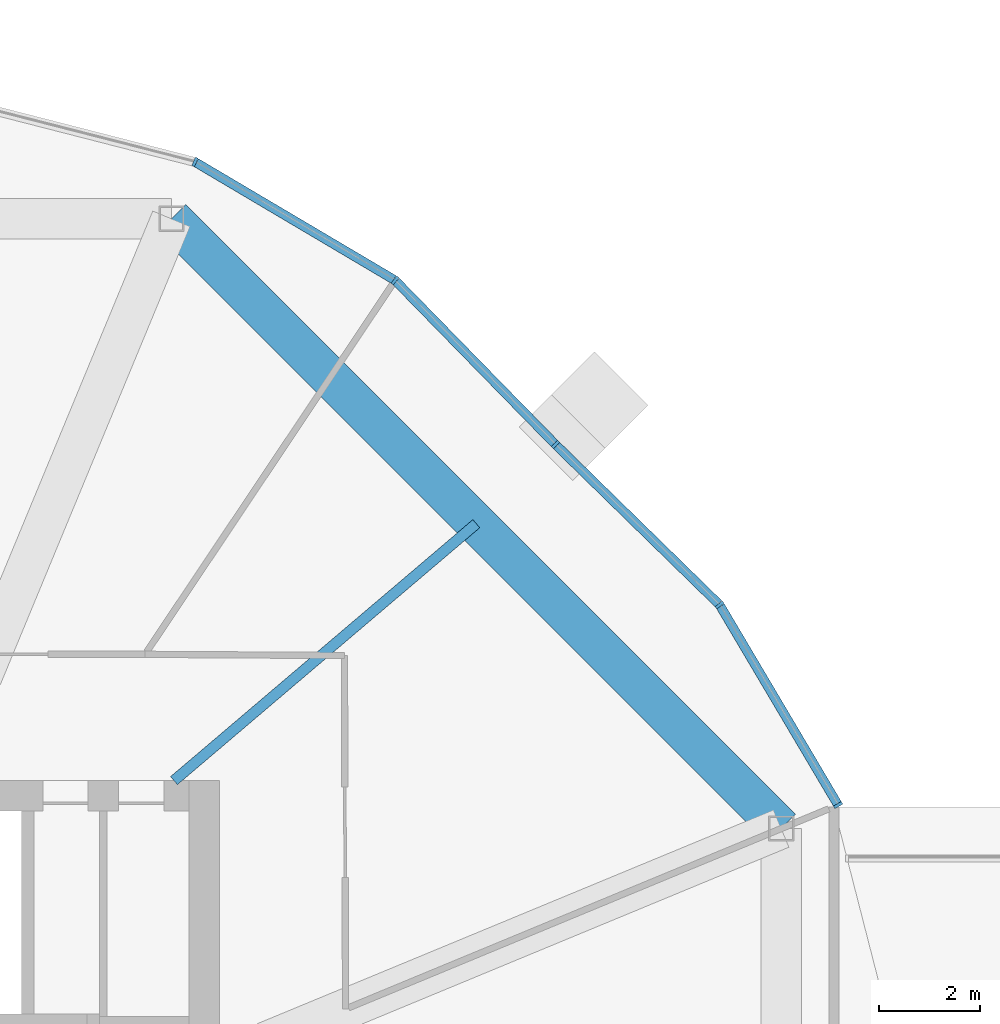
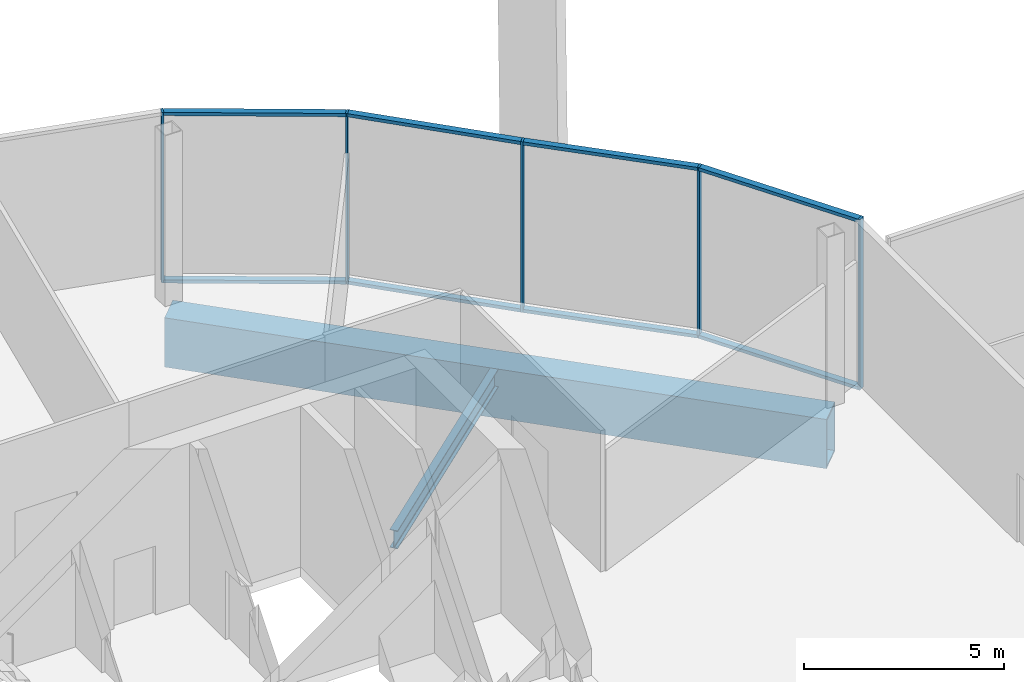
# One storey, part 10 of 28: 13 members, 2 beams, 2 elements without a shape of their own.
"""IFC4 building model written with IfcOpenShell, lengths in metres."""

from ifc_helpers import new_model, si_unit, direction, frame, origin, origin_2d, place, context, subcontext, project, spatial, rectangle, hollow_rectangle, i_section, extrude, material, material_profile, profile_set, type_object, element, aggregate, save


model = new_model("IFC4")

# Units and contexts
model_context = context("Model", 3, precision=1e-05, world=origin(), true_north=direction((0.0, 1.0)))
body_context = subcontext(model_context, "Body", "Model", "MODEL_VIEW")
ifc_project = project(units=[si_unit("LENGTHUNIT", "METRE"), si_unit("AREAUNIT", "SQUARE_METRE"), si_unit("VOLUMEUNIT", "CUBIC_METRE"), si_unit("PLANEANGLEUNIT", "RADIAN"), si_unit("MASSUNIT", "GRAM", prefix="KILO")], contexts=[model_context])

# Site, building, storey
site_placement = place(None, origin())
site = spatial("IfcSite", under=ifc_project, at=site_placement, CompositionType="ELEMENT")
building_placement = place(site_placement, origin())
building = spatial("IfcBuilding", under=site, at=building_placement, Name="Ogive Gate Towers", CompositionType="ELEMENT")
storey_placement = place(building_placement, frame((0.0, 0.0, 135.60009765625)))
storey = spatial("IfcBuildingStorey", under=building, at=storey_placement, Name="L32", CompositionType="ELEMENT", Elevation=135.60009765625)

# Beams
ifc_material_1 = material(Name="Steel SM460", Category="steel")
ifc_material_profile_1 = material_profile(ifc_material_1, hollow_rectangle(XDim=0.800048828125, YDim=1.5, WallThickness=0.06005859375, at=origin_2d()), Name="BX 1500x800x60")
ifc_profile_set_1 = profile_set([ifc_material_profile_1], Name="Steel SM460")
beam_type_1 = type_object("IfcBeamType", Name="Edge girder BX 1500x800x60", PredefinedType="BEAM", material=ifc_profile_set_1)
beam_1_placement = place(storey_placement, frame((-15.360595703125, 8.549072265625, -1.050048828125), z_axis=(-0.707106781187, 0.707106781187, 0.0), x_axis=(-0.707106781187, -0.707106781187, 0.0)))
element("IfcBeam", 1, at=beam_1_placement, inside=storey, type_object=beam_type_1, Name="T1/L32/SBM021", PredefinedType="BEAM", context=body_context, shape_type="SweptSolid", body=[
    extrude(hollow_rectangle(XDim=0.800048828125, YDim=1.5, WallThickness=0.06005859375, at=origin_2d()), origin(), (0.0, 0.0, 1.0), 17.098388671875),
])
ifc_material_2 = material(Name="Steel SM355", Category="steel")
ifc_material_profile_2 = material_profile(ifc_material_2, i_section(OverallWidth=0.2099609375, OverallDepth=0.550048828125, WebThickness=0.010986328125, FlangeThickness=0.01708984375, FilletRadius=0.02392578125, at=origin_2d()), Name="IPE 550")
ifc_profile_set_2 = profile_set([ifc_material_profile_2], Name="Steel SM355")
beam_type_2 = type_object("IfcBeamType", Name="Radial floor beam IPE 550", PredefinedType="BEAM", material=ifc_profile_set_2)
beam_2_placement = place(storey_placement, frame((-27.39990234375, 9.5, -0.5751953125), z_axis=(0.761988324045, 0.647590761222, 0.0), x_axis=(-0.647590761222, 0.761988324045, 0.0)))
element("IfcBeam", 2, at=beam_2_placement, inside=storey, type_object=beam_type_2, Name="T1/L32/SBM010", PredefinedType="BEAM", context=body_context, shape_type="SweptSolid", body=[
    extrude(i_section(OverallWidth=0.2099609375, OverallDepth=0.550048828125, WebThickness=0.010986328125, FlangeThickness=0.01708984375, FilletRadius=0.02392578125, at=origin_2d()), origin(), (0.0, 0.0, 1.0), 7.866455078125),
])

# Curtain wall, members
ifc_material_3 = material(Name="Pale metal aluminium", Category="aluminium")
curtain_wall_type = type_object("IfcCurtainWallType", Name="Tower unitised wall, high zone", PredefinedType="NOTDEFINED", material=ifc_material_3)
curtain_wall_1_placement = place(storey_placement, origin())
curtain_wall_1 = element("IfcCurtainWall", 3, at=curtain_wall_1_placement, inside=storey, type_object=curtain_wall_type, Name="CW2 T1 ECW01", PredefinedType="NOTDEFINED")
ifc_material_profile_3 = material_profile(ifc_material_3, rectangle(XDim=0.179931640625, YDim=0.06005859375, at=origin_2d()), Name="60 x 180 aluminium box")
ifc_profile_set_3 = profile_set([ifc_material_profile_3], Name="Pale metal aluminium")
member_type_1 = type_object("IfcMemberType", Name="Tower unitised wall, high zone mullion 60 x 180", PredefinedType="MULLION", material=ifc_profile_set_3)
member_1_placement = place(storey_placement, frame((-14.231689453125, 9.01513671875, -0.300048828125), z_axis=(0.0, 0.0, 1.0), x_axis=(0.860626507016, 0.509236698817, 0.0)))
member_1 = element("IfcMember", 4, at=member_1_placement, type_object=member_type_1, Name="CW2 mullion", PredefinedType="MULLION", context=body_context, shape_type="SweptSolid", body=[
    extrude(rectangle(XDim=0.179931640625, YDim=0.06005859375, at=origin_2d()), origin(), (0.0, 0.0, 1.0), 5.199951171875),
])
member_2_placement = place(storey_placement, frame((-16.580322265625, 12.984130859375, -0.300048828125), z_axis=(0.0, 0.0, 1.0), x_axis=(0.78650405792, 0.617585109014, 0.0)))
member_2 = element("IfcMember", 5, at=member_2_placement, type_object=member_type_1, Name="CW2 mullion", PredefinedType="MULLION", context=body_context, shape_type="SweptSolid", body=[
    extrude(rectangle(XDim=0.179931640625, YDim=0.06005859375, at=origin_2d()), origin(), (0.0, 0.0, 1.0), 5.199951171875),
])
member_3_placement = place(storey_placement, frame((-19.83544921875, 16.164306640625, -0.300048828125), z_axis=(0.0, 0.0, 1.0), x_axis=(0.698814894711, 0.715302553421, 0.0)))
member_3 = element("IfcMember", 6, at=member_3_placement, type_object=member_type_1, Name="CW2 mullion", PredefinedType="MULLION", context=body_context, shape_type="SweptSolid", body=[
    extrude(rectangle(XDim=0.179931640625, YDim=0.06005859375, at=origin_2d()), origin(), (0.0, 0.0, 1.0), 5.199951171875),
])

curtain_wall_2_placement = place(storey_placement, origin())
curtain_wall_2 = element("IfcCurtainWall", 7, at=curtain_wall_2_placement, inside=storey, type_object=curtain_wall_type, Name="CW2 T1 ECW02", PredefinedType="NOTDEFINED")
member_4_placement = place(storey_placement, frame((-23.015869140625, 19.419677734375, -0.300048828125), z_axis=(0.0, 0.0, 1.0), x_axis=(0.617585109014, 0.78650405792, 0.0)))
member_4 = element("IfcMember", 8, at=member_4_placement, type_object=member_type_1, Name="CW2 mullion", PredefinedType="MULLION", context=body_context, shape_type="SweptSolid", body=[
    extrude(rectangle(XDim=0.179931640625, YDim=0.06005859375, at=origin_2d()), origin(), (0.0, 0.0, 1.0), 5.199951171875),
])
member_5_placement = place(storey_placement, frame((-26.983642578125, 21.767578125, -0.300048828125), z_axis=(0.0, 0.0, 1.0), x_axis=(0.382683432365, 0.923879532511, 0.0)))
member_5 = element("IfcMember", 9, at=member_5_placement, type_object=member_type_1, Name="CW2 mullion", PredefinedType="MULLION", context=body_context, shape_type="SweptSolid", body=[
    extrude(rectangle(XDim=0.179931640625, YDim=0.06005859375, at=origin_2d()), origin(), (0.0, 0.0, 1.0), 5.199951171875),
])

# Member
ifc_material_profile_4 = material_profile(ifc_material_3, rectangle(XDim=0.179931640625, YDim=0.10009765625, at=origin_2d()), Name="100 x 180 aluminium box")
ifc_profile_set_4 = profile_set([ifc_material_profile_4], Name="Pale metal aluminium")
member_type_2 = type_object("IfcMemberType", Name="Tower unitised wall, high zone transom 100 x 180", PredefinedType="USERDEFINED", material=ifc_profile_set_4)
member_6_placement = place(storey_placement, frame((-14.2470703125, 9.041015625, 4.849853515625), z_axis=(-0.509242279072, 0.860623205128, 0.0), x_axis=(-0.860623205128, -0.509242279072, 0.0)))
member_6 = element("IfcMember", 10, at=member_6_placement, type_object=member_type_2, Name="CW2 transom", ObjectType="TRANSOM", PredefinedType="USERDEFINED", context=body_context, shape_type="SweptSolid", body=[
    extrude(rectangle(XDim=0.179931640625, YDim=0.10009765625, at=origin_2d()), origin(), (0.0, 0.0, 1.0), 4.552978515625),
])

member_7_placement = place(storey_placement, frame((-14.2470703125, 9.041015625, -0.25), z_axis=(-0.509242279072, 0.860623205128, 0.0), x_axis=(-0.860623205128, -0.509242279072, 0.0)))
member_7 = element("IfcMember", 11, at=member_7_placement, type_object=member_type_2, Name="CW2 transom", ObjectType="TRANSOM", PredefinedType="USERDEFINED", context=body_context, shape_type="SweptSolid", body=[
    extrude(rectangle(XDim=0.179931640625, YDim=0.10009765625, at=origin_2d()), origin(), (0.0, 0.0, 1.0), 4.552978515625),
])

member_8_placement = place(storey_placement, frame((-16.600830078125, 13.004150390625, 4.849853515625), z_axis=(-0.715292777152, 0.698824901498, 0.0), x_axis=(-0.698824901498, -0.715292777152, 0.0)))
member_8 = element("IfcMember", 12, at=member_8_placement, type_object=member_type_2, Name="CW2 transom", ObjectType="TRANSOM", PredefinedType="USERDEFINED", context=body_context, shape_type="SweptSolid", body=[
    extrude(rectangle(XDim=0.179931640625, YDim=0.10009765625, at=origin_2d()), origin(), (0.0, 0.0, 1.0), 4.491943359375),
])

member_9_placement = place(storey_placement, frame((-16.600830078125, 13.004150390625, -0.25), z_axis=(-0.715292777152, 0.698824901498, 0.0), x_axis=(-0.698824901498, -0.715292777152, 0.0)))
member_9 = element("IfcMember", 13, at=member_9_placement, type_object=member_type_2, Name="CW2 transom", ObjectType="TRANSOM", PredefinedType="USERDEFINED", context=body_context, shape_type="SweptSolid", body=[
    extrude(rectangle(XDim=0.179931640625, YDim=0.10009765625, at=origin_2d()), origin(), (0.0, 0.0, 1.0), 4.491943359375),
])

aggregate(curtain_wall_1, [member_1, member_2, member_6, member_7, member_3, member_8, member_9])

member_10_placement = place(storey_placement, frame((-19.856689453125, 16.18603515625, 4.849853515625), z_axis=(-0.698824901498, 0.715292777152, 0.0), x_axis=(-0.715292777152, -0.698824901498, 0.0)))
member_10 = element("IfcMember", 14, at=member_10_placement, type_object=member_type_2, Name="CW2 transom", ObjectType="TRANSOM", PredefinedType="USERDEFINED", context=body_context, shape_type="SweptSolid", body=[
    extrude(rectangle(XDim=0.179931640625, YDim=0.10009765625, at=origin_2d()), origin(), (0.0, 0.0, 1.0), 4.491943359375),
])

member_11_placement = place(storey_placement, frame((-19.856689453125, 16.18603515625, -0.25), z_axis=(-0.698824901498, 0.715292777152, 0.0), x_axis=(-0.715292777152, -0.698824901498, 0.0)))
member_11 = element("IfcMember", 15, at=member_11_placement, type_object=member_type_2, Name="CW2 transom", ObjectType="TRANSOM", PredefinedType="USERDEFINED", context=body_context, shape_type="SweptSolid", body=[
    extrude(rectangle(XDim=0.179931640625, YDim=0.10009765625, at=origin_2d()), origin(), (0.0, 0.0, 1.0), 4.491943359375),
])

member_12_placement = place(storey_placement, frame((-23.04052734375, 19.434326171875, 4.849853515625), z_axis=(-0.860623205128, 0.509242279072, 0.0), x_axis=(-0.509242279072, -0.860623205128, 0.0)))
member_12 = element("IfcMember", 16, at=member_12_placement, type_object=member_type_2, Name="CW2 transom", ObjectType="TRANSOM", PredefinedType="USERDEFINED", context=body_context, shape_type="SweptSolid", body=[
    extrude(rectangle(XDim=0.179931640625, YDim=0.10009765625, at=origin_2d()), origin(), (0.0, 0.0, 1.0), 4.552978515625),
])

member_13_placement = place(storey_placement, frame((-23.04052734375, 19.434326171875, -0.25), z_axis=(-0.860623205128, 0.509242279072, 0.0), x_axis=(-0.509242279072, -0.860623205128, 0.0)))
member_13 = element("IfcMember", 17, at=member_13_placement, type_object=member_type_2, Name="CW2 transom", ObjectType="TRANSOM", PredefinedType="USERDEFINED", context=body_context, shape_type="SweptSolid", body=[
    extrude(rectangle(XDim=0.179931640625, YDim=0.10009765625, at=origin_2d()), origin(), (0.0, 0.0, 1.0), 4.552978515625),
])

aggregate(curtain_wall_2, [member_4, member_10, member_11, member_5, member_12, member_13])

save(model, "model.ifc")
